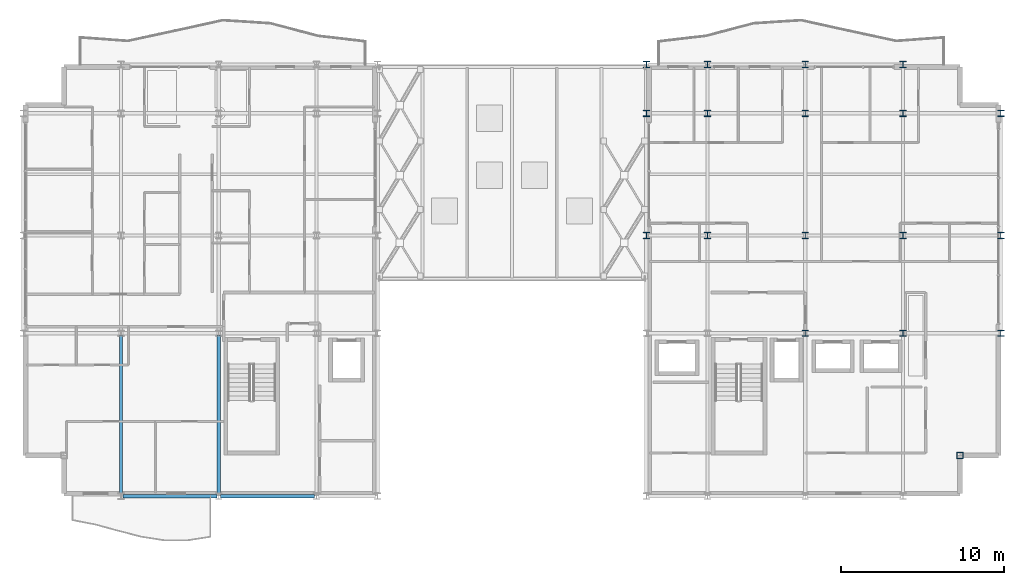
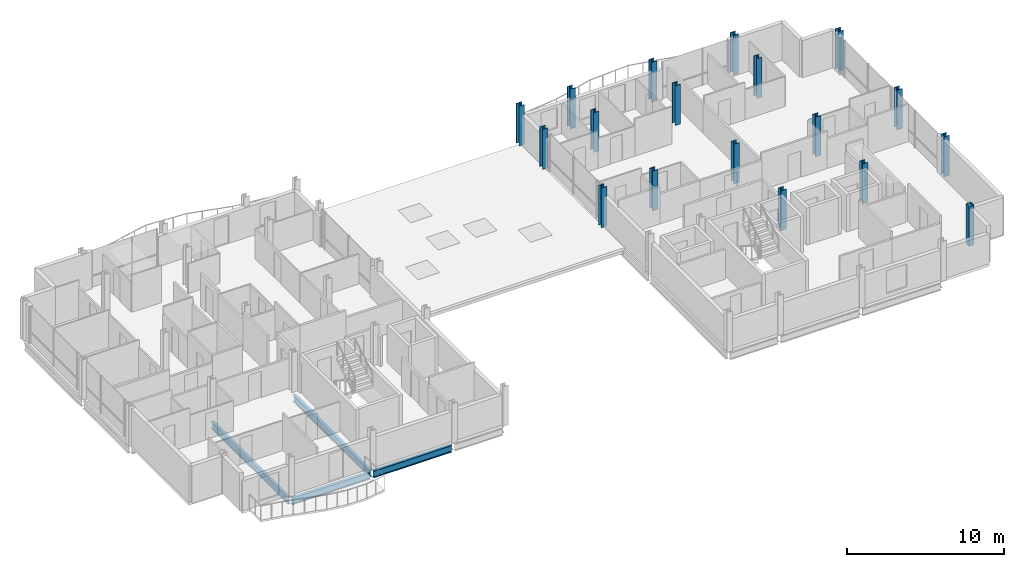
# One storey, part 2 of 33: 18 columns, 4 beams.
"""IFC4 building model written with IfcOpenShell, lengths in metres."""

from ifc_helpers import new_model, si_unit, direction, frame, origin, origin_2d, place, context, subcontext, project, spatial, hollow_rectangle, i_section, extrude, material, material_profile, profile_set, type_object, element, save


model = new_model("IFC4")

# Units and contexts
model_context = context("Model", 3, precision=1e-05, world=origin(), true_north=direction((0.0, 1.0)))
body_context = subcontext(model_context, "Body", "Model", "MODEL_VIEW")
ifc_project = project(units=[si_unit("LENGTHUNIT", "METRE"), si_unit("AREAUNIT", "SQUARE_METRE"), si_unit("VOLUMEUNIT", "CUBIC_METRE"), si_unit("PLANEANGLEUNIT", "RADIAN"), si_unit("MASSUNIT", "GRAM", prefix="KILO")], contexts=[model_context])

# Site, building, storey
site_placement = place(None, origin())
site = spatial("IfcSite", under=ifc_project, at=site_placement, CompositionType="ELEMENT")
building_placement = place(site_placement, origin())
building = spatial("IfcBuilding", under=site, at=building_placement, Name="Brevholm Reach", CompositionType="ELEMENT")
storey_placement = place(building_placement, frame((0.0, 0.0, 189.39990234375)))
storey = spatial("IfcBuildingStorey", under=building, at=storey_placement, Name="L57", CompositionType="ELEMENT", Elevation=189.39990234375)

# Columns
ifc_material_1 = material(Name="Structural Steel S460NH", Category="steel")
ifc_material_profile_1 = material_profile(ifc_material_1, hollow_rectangle(XDim=0.39990234375, YDim=0.39990234375, WallThickness=0.02001953125, InnerFilletRadius=0.011962890625, OuterFilletRadius=0.02392578125, at=origin_2d()), Name="SHS 400x400x20")
ifc_profile_set_1 = profile_set([ifc_material_profile_1], Name="Structural Steel S460NH")
column_type_1 = type_object("IfcColumnType", Name="COL-SHS2", PredefinedType="COLUMN", material=ifc_profile_set_1)
column_placement = place(storey_placement, frame((57.5, 2.5, 0.0), z_axis=(0.0, 0.0, 1.0), x_axis=(1.0, 0.0, 0.0)))
element("IfcColumn", 1, at=column_placement, inside=storey, type_object=column_type_1, Name="L57 Column 45", PredefinedType="COLUMN", context=body_context, shape_type="SweptSolid", body=[
    extrude(hollow_rectangle(XDim=0.39990234375, YDim=0.39990234375, WallThickness=0.02001953125, InnerFilletRadius=0.011962890625, OuterFilletRadius=0.02392578125, at=origin_2d()), origin(), (0.0, 0.0, 1.0), 3.10009765625),
])
ifc_material_2 = material(Name="Structural Steel S355J2", Category="steel")
ifc_material_profile_2 = material_profile(ifc_material_2, i_section(OverallWidth=0.39892578125, OverallDepth=0.3935546875, WebThickness=0.022705078125, FlangeThickness=0.03662109375, FilletRadius=0.01513671875, at=origin_2d()), Name="UKC 356x406x287")
ifc_profile_set_2 = profile_set([ifc_material_profile_2], Name="Structural Steel S355J2")
column_type_2 = type_object("IfcColumnType", Name="COL-UC5B", PredefinedType="COLUMN", material=ifc_profile_set_2)
for number, where, z_axis, x_axis, name in (
    (2, (38.25, 16.0, 0.0), (0.0, 0.0, 1.0), (1.0, 0.0, 0.0), "L57 Column 27"),
    (3, (38.25, 23.5, 0.0), (0.0, 0.0, 1.0), (1.0, 0.0, 0.0), "L57 Column 28"),
    (4, (38.25, 26.5, 0.0), (0.0, 0.0, 1.0), (1.0, 0.0, 0.0), "L57 Column 29"),
    (5, (42.0, 16.0, 0.0), (0.0, 0.0, 1.0), (1.0, 0.0, 0.0), "L57 Column 32"),
    (6, (42.0, 23.5, 0.0), (0.0, 0.0, 1.0), (1.0, 0.0, 0.0), "L57 Column 33"),
    (7, (42.0, 26.5, 0.0), (0.0, 0.0, 1.0), (1.0, 0.0, 0.0), "L57 Column 34"),
    (8, (48.0, 10.0, 0.0), (0.0, 0.0, 1.0), (1.0, 0.0, 0.0), "L57 Column 36"),
    (9, (48.0, 16.0, 0.0), (0.0, 0.0, 1.0), (1.0, 0.0, 0.0), "L57 Column 37"),
    (10, (48.0, 23.5, 0.0), (0.0, 0.0, 1.0), (1.0, 0.0, 0.0), "L57 Column 38"),
    (11, (48.0, 26.5, 0.0), (0.0, 0.0, 1.0), (1.0, 0.0, 0.0), "L57 Column 39"),
    (12, (54.0, 10.0, 0.0), (0.0, 0.0, 1.0), (1.0, 0.0, 0.0), "L57 Column 41"),
    (13, (54.0, 16.0, 0.0), (0.0, 0.0, 1.0), (1.0, 0.0, 0.0), "L57 Column 42"),
    (14, (54.0, 23.5, 0.0), (0.0, 0.0, 1.0), (1.0, 0.0, 0.0), "L57 Column 43"),
    (15, (54.0, 26.5, 0.0), (0.0, 0.0, 1.0), (1.0, 0.0, 0.0), "L57 Column 44"),
    (16, (60.0, 10.0, 0.0), (0.0, 0.0, 1.0), (1.0, 0.0, 0.0), "L57 Column 46"),
    (17, (60.0, 16.0, 0.0), (0.0, 0.0, 1.0), (1.0, 0.0, 0.0), "L57 Column 47"),
    (18, (60.0, 23.5, 0.0), (0.0, 0.0, 1.0), (1.0, 0.0, 0.0), "L57 Column 48"),
):
    element("IfcColumn", number, at=place(storey_placement, frame(where, z_axis=z_axis, x_axis=x_axis)), inside=storey, type_object=column_type_2, Name=name, PredefinedType="COLUMN", context=body_context, shape_type="SweptSolid", body=[
        extrude(i_section(OverallWidth=0.39892578125, OverallDepth=0.3935546875, WebThickness=0.022705078125, FlangeThickness=0.03662109375, FilletRadius=0.01513671875, at=origin_2d()), origin(), (0.0, 0.0, 1.0), 3.10009765625),
    ])

# Beams
ifc_material_3 = material(Name="Structural Steel S355J2", Category="steel")
ifc_material_profile_3 = material_profile(ifc_material_3, i_section(OverallWidth=0.209228515625, OverallDepth=0.533203125, WebThickness=0.010009765625, FlangeThickness=0.015625, FilletRadius=0.0126953125, at=origin_2d()), Name="UKB 533x210x92")
ifc_profile_set_3 = profile_set([ifc_material_profile_3], Name="Structural Steel S355J2")
beam_type_1 = type_object("IfcBeamType", Name="BM-SP533", PredefinedType="SPANDREL", material=ifc_profile_set_3)
for number, where, z_axis, x_axis, name in (
    (19, (6.1201171875, 0.0, -0.4765625), (1.0, 0.0, 0.0), (0.0, 1.0, 0.0), "L57 SP-02 Framing Beam"),
    (20, (12.1201171875, 0.0, -0.4765625), (1.0, 0.0, 0.0), (0.0, 1.0, 0.0), "L57 SP-02 Framing Beam"),
):
    element("IfcBeam", number, at=place(storey_placement, frame(where, z_axis=z_axis, x_axis=x_axis)), inside=storey, type_object=beam_type_1, Name=name, PredefinedType="SPANDREL", context=body_context, shape_type="SweptSolid", body=[
        extrude(i_section(OverallWidth=0.209228515625, OverallDepth=0.533203125, WebThickness=0.010009765625, FlangeThickness=0.015625, FilletRadius=0.0126953125, at=origin_2d()), origin(), (0.0, 0.0, 1.0), 5.759765625),
    ])
ifc_material_4 = material(Name="Structural Steel S355J2", Category="steel")
ifc_material_profile_4 = material_profile(ifc_material_4, i_section(OverallWidth=0.210693359375, OverallDepth=0.53955078125, WebThickness=0.01171875, FlangeThickness=0.018798828125, FilletRadius=0.0126953125, at=origin_2d()), Name="UKB 533x210x109")
ifc_profile_set_4 = profile_set([ifc_material_profile_4], Name="Structural Steel S355J2")
beam_type_2 = type_object("IfcBeamType", Name="BM-SP539", PredefinedType="SPANDREL", material=ifc_profile_set_4)
for number, where, z_axis, x_axis, name in (
    (21, (6.0, 0.1201171875, -0.479736328125), (0.0, 1.0, 0.0), (-1.0, 0.0, 0.0), "L57 SP-01B Framing Beam"),
    (22, (12.0, 0.1201171875, -0.479736328125), (0.0, 1.0, 0.0), (-1.0, 0.0, 0.0), "L57 SP-01B Framing Beam"),
):
    element("IfcBeam", number, at=place(storey_placement, frame(where, z_axis=z_axis, x_axis=x_axis)), inside=storey, type_object=beam_type_2, Name=name, PredefinedType="SPANDREL", context=body_context, shape_type="SweptSolid", body=[
        extrude(i_section(OverallWidth=0.210693359375, OverallDepth=0.53955078125, WebThickness=0.01171875, FlangeThickness=0.018798828125, FilletRadius=0.0126953125, at=origin_2d()), origin(), (0.0, 0.0, 1.0), 9.759765625),
    ])

save(model, "model.ifc")
